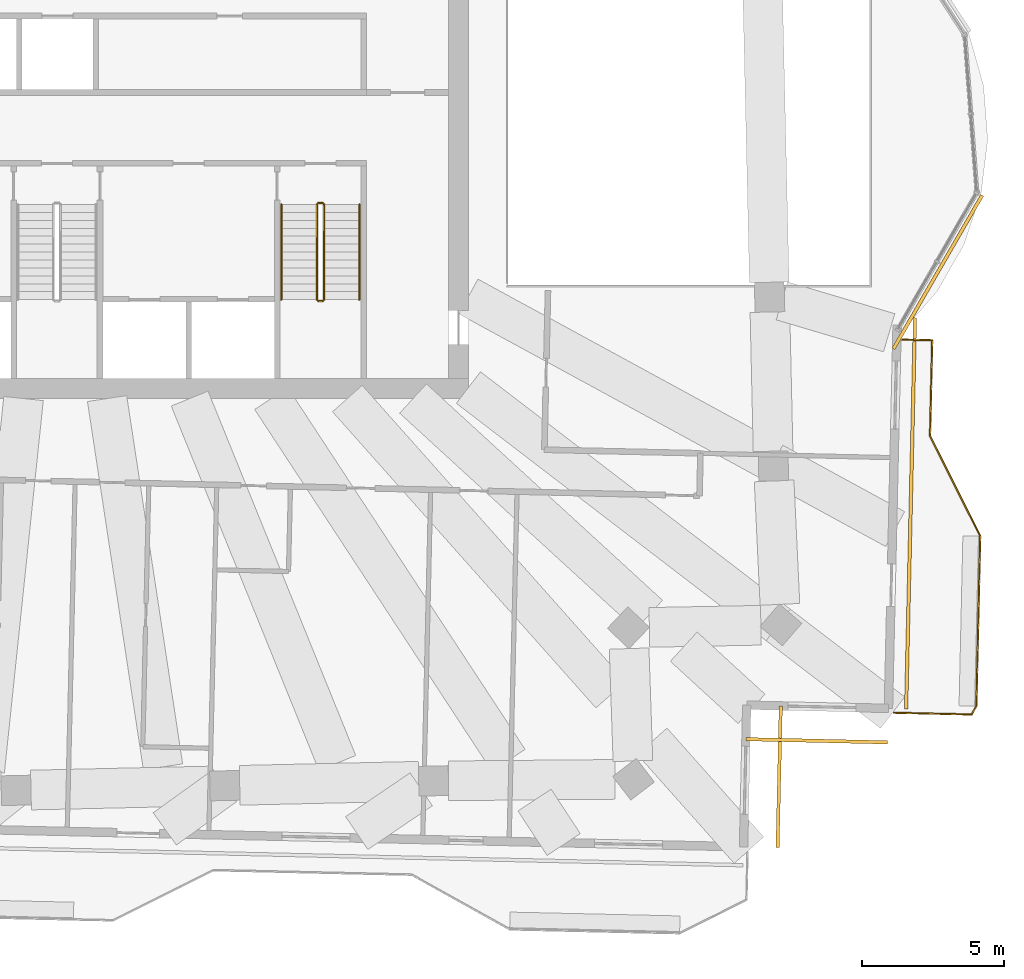
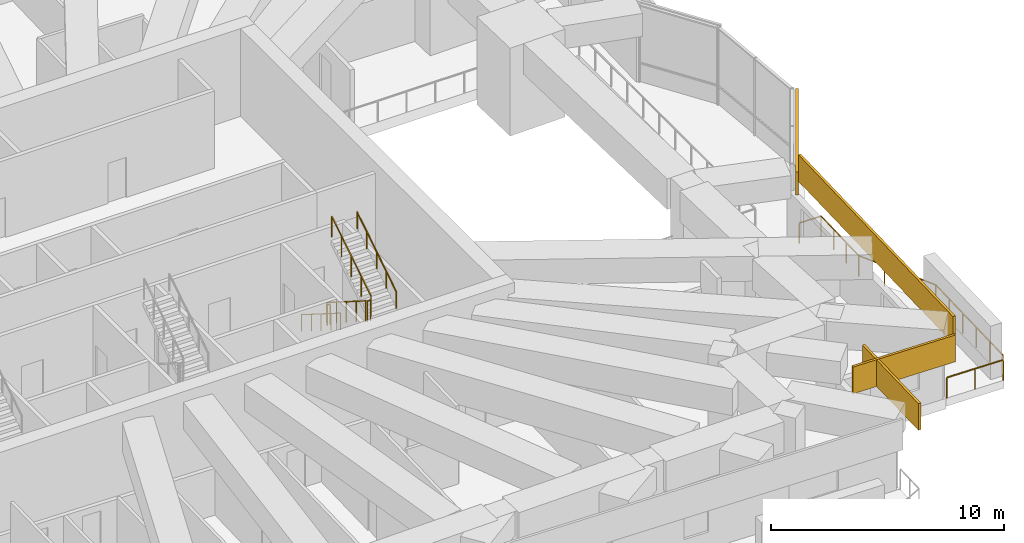
# One storey, part 18 of 20: 7 railings, 4 coverings.
"""IFC4 building model written with IfcOpenShell, lengths in metres."""

from ifc_helpers import new_model, si_unit, direction, frame, frame_2d, origin, origin_2d, place, context, subcontext, project, spatial, rectangle, circle, extrude, material, layer, layer_set, type_object, element, save


model = new_model("IFC4")

# Units and contexts
model_context = context("Model", 3, precision=1e-05, world=origin(), true_north=direction((0.0, 1.0)))
body_context = subcontext(model_context, "Body", "Model", "MODEL_VIEW")
ifc_project = project(units=[si_unit("LENGTHUNIT", "METRE"), si_unit("AREAUNIT", "SQUARE_METRE"), si_unit("VOLUMEUNIT", "CUBIC_METRE"), si_unit("PLANEANGLEUNIT", "RADIAN"), si_unit("MASSUNIT", "GRAM", prefix="KILO")], contexts=[model_context])

# Site, building, storey
site_placement = place(None, origin())
site = spatial("IfcSite", under=ifc_project, at=site_placement, CompositionType="ELEMENT")
building_placement = place(site_placement, origin())
building = spatial("IfcBuilding", under=site, at=building_placement, Name="Mangrove Gate Tower", CompositionType="ELEMENT")
storey_placement = place(building_placement, frame((0.0, 0.0, 252.699951171875)))
storey = spatial("IfcBuildingStorey", under=building, at=storey_placement, Name="L64", CompositionType="ELEMENT", Elevation=252.699951171875)

# Railings
ifc_material_1 = material(Name="Stainless steel grade 316 with laminated glass infill", Category="steel")
railing_type_1 = type_object("IfcRailingType", Name="Balcony guard 1100", PredefinedType="GUARDRAIL", material=ifc_material_1)
railing_1_placement = place(storey_placement, frame((29.508056640625, -22.589111328125, 0.0)))
element("IfcRailing", 1, at=railing_1_placement, inside=storey, type_object=railing_type_1, Name="GUARD L64 E1", PredefinedType="GUARDRAIL", context=body_context, shape_type="SweptSolid", body=[
    extrude(rectangle(XDim=0.048095703125, YDim=0.048095703125, at=origin_2d()), frame((0.0, 0.0, 1.076171875), z_axis=(0.999748027468, -0.022447306616, 0.0), x_axis=(0.022447306616, 0.999748027468, 0.0)), (0.0, 0.0, 1.0), 2.751708984375),
    extrude(rectangle(XDim=0.048095703125, YDim=0.048095703125, at=origin_2d()), frame((2.7509765625, -0.061767578125, 1.076171875), z_axis=(0.487110593277, 0.873340294454, 0.0), x_axis=(-0.873340294454, 0.487110593277, 0.0)), (0.0, 0.0, 1.0), 0.3388671875),
    extrude(rectangle(XDim=0.048095703125, YDim=0.048095703125, at=origin_2d()), frame((2.916015625, 0.234130859375, 1.076171875), z_axis=(0.022662255828, 0.999743178102, 0.0), x_axis=(-0.999743178102, 0.022662255828, 0.0)), (0.0, 0.0, 1.0), 6.00048828125),
    extrude(rectangle(XDim=0.048095703125, YDim=0.048095703125, at=origin_2d()), frame((3.052001953125, 6.233154296875, 1.076171875), z_axis=(-0.447114919141, 0.894476522376, 0.0), x_axis=(-0.894476522376, -0.447114919141, 0.0)), (0.0, 0.0, 1.0), 3.958740234375),
    extrude(rectangle(XDim=0.048095703125, YDim=0.048095703125, at=origin_2d()), frame((1.281982421875, 9.774169921875, 1.076171875), z_axis=(0.02278713509, 0.999740339525, 0.0), x_axis=(-0.999740339525, 0.02278713509, 0.0)), (0.0, 0.0, 1.0), 3.375),
    extrude(rectangle(XDim=0.048095703125, YDim=0.048095703125, at=origin_2d()), frame((1.35888671875, 13.148193359375, 1.076171875), z_axis=(-0.999745389313, 0.022564497502, 0.0), x_axis=(-0.022564497502, -0.999745389313, 0.0)), (0.0, 0.0, 1.0), 1.060302734375),
    extrude(rectangle(XDim=0.0419921875, YDim=0.0419921875, at=origin_2d()), origin(), (0.0, 0.0, 1.0), 1.052001953125),
    extrude(rectangle(XDim=0.0419921875, YDim=0.0419921875, at=origin_2d()), frame((1.37548828125, -0.03076171875, 0.0)), (0.0, 0.0, 1.0), 1.052001953125),
    extrude(rectangle(XDim=0.0419921875, YDim=0.0419921875, at=origin_2d()), frame((2.7509765625, -0.061767578125, 0.0)), (0.0, 0.0, 1.0), 1.052001953125),
    extrude(rectangle(XDim=0.0419921875, YDim=0.0419921875, at=origin_2d()), frame((2.916015625, 0.234130859375, 0.0)), (0.0, 0.0, 1.0), 1.052001953125),
    extrude(rectangle(XDim=0.0419921875, YDim=0.0419921875, at=origin_2d()), frame((2.943115234375, 1.433837890625, 0.0)), (0.0, 0.0, 1.0), 1.052001953125),
    extrude(rectangle(XDim=0.0419921875, YDim=0.0419921875, at=origin_2d()), frame((2.970458984375, 2.6337890625, 0.0)), (0.0, 0.0, 1.0), 1.052001953125),
    extrude(rectangle(XDim=0.0419921875, YDim=0.0419921875, at=origin_2d()), frame((2.99755859375, 3.83349609375, 0.0)), (0.0, 0.0, 1.0), 1.052001953125),
    extrude(rectangle(XDim=0.0419921875, YDim=0.0419921875, at=origin_2d()), frame((3.02490234375, 5.033447265625, 0.0)), (0.0, 0.0, 1.0), 1.052001953125),
    extrude(rectangle(XDim=0.0419921875, YDim=0.0419921875, at=origin_2d()), frame((3.052001953125, 6.233154296875, 0.0)), (0.0, 0.0, 1.0), 1.052001953125),
    extrude(rectangle(XDim=0.0419921875, YDim=0.0419921875, at=origin_2d()), frame((2.4619140625, 7.41357421875, 0.0)), (0.0, 0.0, 1.0), 1.052001953125),
    extrude(rectangle(XDim=0.0419921875, YDim=0.0419921875, at=origin_2d()), frame((1.8720703125, 8.59375, 0.0)), (0.0, 0.0, 1.0), 1.052001953125),
    extrude(rectangle(XDim=0.0419921875, YDim=0.0419921875, at=origin_2d()), frame((1.281982421875, 9.774169921875, 0.0)), (0.0, 0.0, 1.0), 1.052001953125),
    extrude(rectangle(XDim=0.0419921875, YDim=0.0419921875, at=origin_2d()), frame((1.3076171875, 10.89892578125, 0.0)), (0.0, 0.0, 1.0), 1.052001953125),
    extrude(rectangle(XDim=0.0419921875, YDim=0.0419921875, at=origin_2d()), frame((1.333251953125, 12.0234375, 0.0)), (0.0, 0.0, 1.0), 1.052001953125),
    extrude(rectangle(XDim=0.0419921875, YDim=0.0419921875, at=origin_2d()), frame((1.35888671875, 13.148193359375, 0.0)), (0.0, 0.0, 1.0), 1.052001953125),
    extrude(rectangle(XDim=0.0419921875, YDim=0.0419921875, at=origin_2d()), frame((0.298828125, 13.172119140625, 0.0)), (0.0, 0.0, 1.0), 1.052001953125),
])
ifc_material_2 = material(Name="Stainless steel 316", Category="steel")
railing_type_2 = type_object("IfcRailingType", Name="Core stair guard 1100", PredefinedType="GUARDRAIL", material=ifc_material_2)
railing_2_placement = place(storey_placement, frame((9.14990234375, -4.64990234375, 0.177001953125)))
element("IfcRailing", 2, at=railing_2_placement, inside=storey, type_object=railing_type_2, Name="L64 ST3 stair guard 1", PredefinedType="GUARDRAIL", context=body_context, shape_type="SweptSolid", body=[
    extrude(rectangle(XDim=0.048095703125, YDim=0.048095703125, at=origin_2d()), frame((0.0, 0.0, 1.076171875), z_axis=(0.0, -0.845389635667, 0.534150132366), x_axis=(1.0, 0.0, 0.0)), (0.0, 0.0, 1.0), 3.974609375),
    extrude(rectangle(XDim=0.0419921875, YDim=0.0419921875, at=origin_2d()), origin(), (0.0, 0.0, 1.0), 1.052001953125),
    extrude(rectangle(XDim=0.0419921875, YDim=0.0419921875, at=origin_2d()), frame((0.0, -0.840087890625, 0.53076171875)), (0.0, 0.0, 1.0), 1.052001953125),
    extrude(rectangle(XDim=0.0419921875, YDim=0.0419921875, at=origin_2d()), frame((0.0, -1.68017578125, 1.0615234375)), (0.0, 0.0, 1.0), 1.052001953125),
    extrude(rectangle(XDim=0.0419921875, YDim=0.0419921875, at=origin_2d()), frame((0.0, -2.52001953125, 1.59228515625)), (0.0, 0.0, 1.0), 1.052001953125),
    extrude(rectangle(XDim=0.0419921875, YDim=0.0419921875, at=origin_2d()), frame((0.0, -3.360107421875, 2.123046875)), (0.0, 0.0, 1.0), 1.052001953125),
])
railing_3_placement = place(storey_placement, frame((9.199951171875, -8.06005859375, 2.300048828125)))
element("IfcRailing", 3, at=railing_3_placement, inside=storey, type_object=railing_type_2, Name="L64 ST3 stair guard 2", PredefinedType="GUARDRAIL", context=body_context, shape_type="SweptSolid", body=[
    extrude(rectangle(XDim=0.048095703125, YDim=0.048095703125, at=origin_2d()), frame((0.0, 0.0, 1.076171875), z_axis=(1.0, 0.0, 0.0), x_axis=(0.0, 1.0, 0.0)), (0.0, 0.0, 1.0), 0.150146484375),
    extrude(rectangle(XDim=0.0419921875, YDim=0.0419921875, at=origin_2d()), origin(), (0.0, 0.0, 1.0), 1.052001953125),
    extrude(rectangle(XDim=0.0419921875, YDim=0.0419921875, at=origin_2d()), frame((0.150146484375, 0.0, 0.0)), (0.0, 0.0, 1.0), 1.052001953125),
])
railing_4_placement = place(storey_placement, frame((9.39990234375, -8.010009765625, 2.47705078125)))
element("IfcRailing", 4, at=railing_4_placement, inside=storey, type_object=railing_type_2, Name="L64 ST3 stair guard 3", PredefinedType="GUARDRAIL", context=body_context, shape_type="SweptSolid", body=[
    extrude(rectangle(XDim=0.048095703125, YDim=0.048095703125, at=origin_2d()), frame((0.0, 0.0, 1.076171875), z_axis=(0.0, 0.845389635667, 0.534150132366), x_axis=(-1.0, 0.0, 0.0)), (0.0, 0.0, 1.0), 3.974609375),
    extrude(rectangle(XDim=0.0419921875, YDim=0.0419921875, at=origin_2d()), origin(), (0.0, 0.0, 1.0), 1.052001953125),
    extrude(rectangle(XDim=0.0419921875, YDim=0.0419921875, at=origin_2d()), frame((0.0, 0.840087890625, 0.53076171875)), (0.0, 0.0, 1.0), 1.052001953125),
    extrude(rectangle(XDim=0.0419921875, YDim=0.0419921875, at=origin_2d()), frame((0.0, 1.68017578125, 1.0615234375)), (0.0, 0.0, 1.0), 1.052001953125),
    extrude(rectangle(XDim=0.0419921875, YDim=0.0419921875, at=origin_2d()), frame((0.0, 2.52001953125, 1.59228515625)), (0.0, 0.0, 1.0), 1.052001953125),
    extrude(rectangle(XDim=0.0419921875, YDim=0.0419921875, at=origin_2d()), frame((0.0, 3.360107421875, 2.123046875)), (0.0, 0.0, 1.0), 1.052001953125),
])
railing_5_placement = place(storey_placement, frame((9.199951171875, -4.60009765625, 0.0)))
element("IfcRailing", 5, at=railing_5_placement, inside=storey, type_object=railing_type_2, Name="L64 ST3 stair guard 4", PredefinedType="GUARDRAIL", context=body_context, shape_type="SweptSolid", body=[
    extrude(rectangle(XDim=0.048095703125, YDim=0.048095703125, at=origin_2d()), frame((0.0, 0.0, 1.076171875), z_axis=(1.0, 0.0, 0.0), x_axis=(0.0, 1.0, 0.0)), (0.0, 0.0, 1.0), 0.150146484375),
    extrude(rectangle(XDim=0.0419921875, YDim=0.0419921875, at=origin_2d()), origin(), (0.0, 0.0, 1.0), 1.052001953125),
    extrude(rectangle(XDim=0.0419921875, YDim=0.0419921875, at=origin_2d()), frame((0.150146484375, 0.0, 0.0)), (0.0, 0.0, 1.0), 1.052001953125),
])
ifc_material_3 = material(Name="Stainless steel 316", Category="steel")
railing_type_3 = type_object("IfcRailingType", Name="Core stair handrail 900", PredefinedType="HANDRAIL", material=ifc_material_3)
railing_6_placement = place(storey_placement, frame((7.89990234375, -4.64990234375, 0.177001953125)))
element("IfcRailing", 6, at=railing_6_placement, inside=storey, type_object=railing_type_3, Name="L64 ST3 stair handrail 1", PredefinedType="HANDRAIL", context=body_context, shape_type="SweptSolid", body=[
    extrude(circle(Radius=0.02392578125, at=origin_2d()), frame((0.0, 0.0, 0.8759765625), z_axis=(0.0, -0.845389635667, 0.534150132366), x_axis=(1.0, 0.0, 0.0)), (0.0, 0.0, 1.0), 3.974609375),
    extrude(circle(Radius=0.02099609375, at=origin_2d()), origin(), (0.0, 0.0, 1.0), 0.851806640625),
    extrude(circle(Radius=0.02099609375, at=origin_2d()), frame((0.0, -0.840087890625, 0.53076171875)), (0.0, 0.0, 1.0), 0.851806640625),
    extrude(circle(Radius=0.02099609375, at=origin_2d()), frame((0.0, -1.68017578125, 1.0615234375)), (0.0, 0.0, 1.0), 0.851806640625),
    extrude(circle(Radius=0.02099609375, at=origin_2d()), frame((0.0, -2.52001953125, 1.59228515625)), (0.0, 0.0, 1.0), 0.851806640625),
    extrude(circle(Radius=0.02099609375, at=origin_2d()), frame((0.0, -3.360107421875, 2.123046875)), (0.0, 0.0, 1.0), 0.851806640625),
])
railing_7_placement = place(storey_placement, frame((10.64990234375, -8.010009765625, 2.47705078125)))
element("IfcRailing", 7, at=railing_7_placement, inside=storey, type_object=railing_type_3, Name="L64 ST3 stair handrail 2", PredefinedType="HANDRAIL", context=body_context, shape_type="SweptSolid", body=[
    extrude(circle(Radius=0.02392578125, at=origin_2d()), frame((0.0, 0.0, 0.8759765625), z_axis=(0.0, 0.845389635667, 0.534150132366), x_axis=(-1.0, 0.0, 0.0)), (0.0, 0.0, 1.0), 3.974609375),
    extrude(circle(Radius=0.02099609375, at=origin_2d()), origin(), (0.0, 0.0, 1.0), 0.851806640625),
    extrude(circle(Radius=0.02099609375, at=origin_2d()), frame((0.0, 0.840087890625, 0.53076171875)), (0.0, 0.0, 1.0), 0.851806640625),
    extrude(circle(Radius=0.02099609375, at=origin_2d()), frame((0.0, 1.68017578125, 1.0615234375)), (0.0, 0.0, 1.0), 0.851806640625),
    extrude(circle(Radius=0.02099609375, at=origin_2d()), frame((0.0, 2.52001953125, 1.59228515625)), (0.0, 0.0, 1.0), 0.851806640625),
    extrude(circle(Radius=0.02099609375, at=origin_2d()), frame((0.0, 3.360107421875, 2.123046875)), (0.0, 0.0, 1.0), 0.851806640625),
])

# Coverings
ifc_material_4 = material(Name="Limestone", Category="masonry")
ifc_layer_1 = layer(ifc_material_4, 0.0400390625, Name="Limestone cladding")
ifc_material_5 = material(Name="Stainless steel anchors and cavity", Category="steel")
ifc_layer_2 = layer(ifc_material_5, 0.080078125, Name="Fixing cavity")
ifc_layer_set = layer_set([ifc_layer_1, ifc_layer_2], Name="Joint fascia cladding 120")
covering_type = type_object("IfcCoveringType", Name="Joint fascia cladding 120", PredefinedType="CLADDING", material=ifc_layer_set)
covering_1_placement = place(storey_placement, frame((29.947021484375, -22.447998046875, 2.650146484375), z_axis=(0.0, 0.0, 1.0), x_axis=(0.022691675359, 0.999742510784, 0.0)))
element("IfcCovering", 8, at=covering_1_placement, inside=storey, type_object=covering_type, Name="STONE FASCIA L64 E0.1", PredefinedType="CLADDING", context=body_context, shape_type="SweptSolid", body=[
    extrude(rectangle(XDim=13.803955078125, YDim=0.1201171875, at=frame_2d((6.90185546875, 0.0))), origin(), (0.0, 0.0, 1.0), 1.39990234375),
])
covering_2_placement = place(storey_placement, frame((29.4990234375, -9.7451171875, 2.85009765625), z_axis=(0.0, 0.0, 1.0), x_axis=(0.500353024294, 0.865821489153, 0.0)))
element("IfcCovering", 9, at=covering_2_placement, inside=storey, type_object=covering_type, Name="STONE FASCIA L64 E1.L1", PredefinedType="CLADDING", context=body_context, shape_type="SweptSolid", body=[
    extrude(rectangle(XDim=6.25537109375, YDim=0.1201171875, at=frame_2d((3.127685546875, 0.0))), origin(), (0.0, 0.0, 1.0), 1.199951171875),
])
covering_3_placement = place(storey_placement, frame((25.408935546875, -27.346923828125, 2.650146484375), z_axis=(0.0, 0.0, 1.0), x_axis=(0.022801259434, 0.999740017489, 0.0)))
element("IfcCovering", 10, at=covering_3_placement, inside=storey, type_object=covering_type, Name="STONE FASCIA L64 E14.1", PredefinedType="CLADDING", context=body_context, shape_type="SweptSolid", body=[
    extrude(rectangle(XDim=5.000244140625, YDim=0.1201171875, at=frame_2d((2.5, 0.0))), origin(), (0.0, 0.0, 1.0), 1.39990234375),
])
covering_4_placement = place(storey_placement, frame((24.2958984375, -23.52099609375, 2.650146484375), z_axis=(0.0, 0.0, 1.0), x_axis=(0.999744350543, -0.022610474516, 0.0)))
element("IfcCovering", 11, at=covering_4_placement, inside=storey, type_object=covering_type, Name="STONE FASCIA L64 S15.1", PredefinedType="CLADDING", context=body_context, shape_type="SweptSolid", body=[
    extrude(rectangle(XDim=4.999267578125, YDim=0.1201171875, at=frame_2d((2.49951171875, 0.0))), origin(), (0.0, 0.0, 1.0), 1.39990234375),
])

save(model, "model.ifc")
